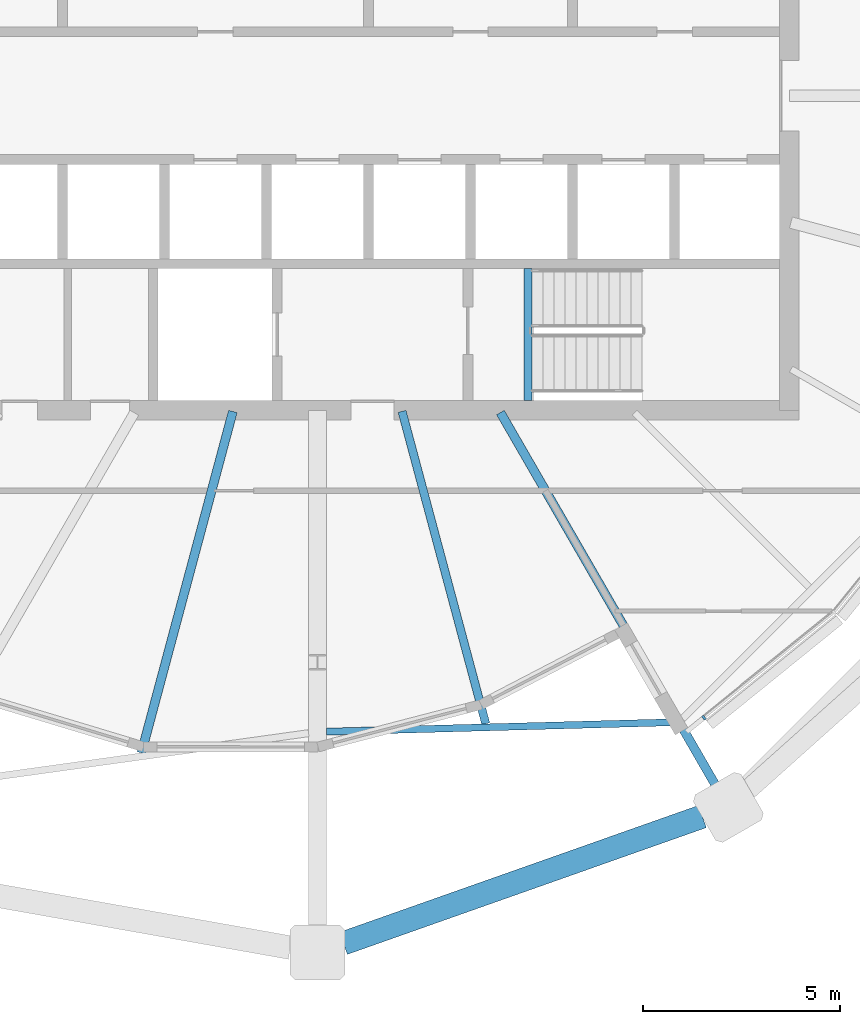
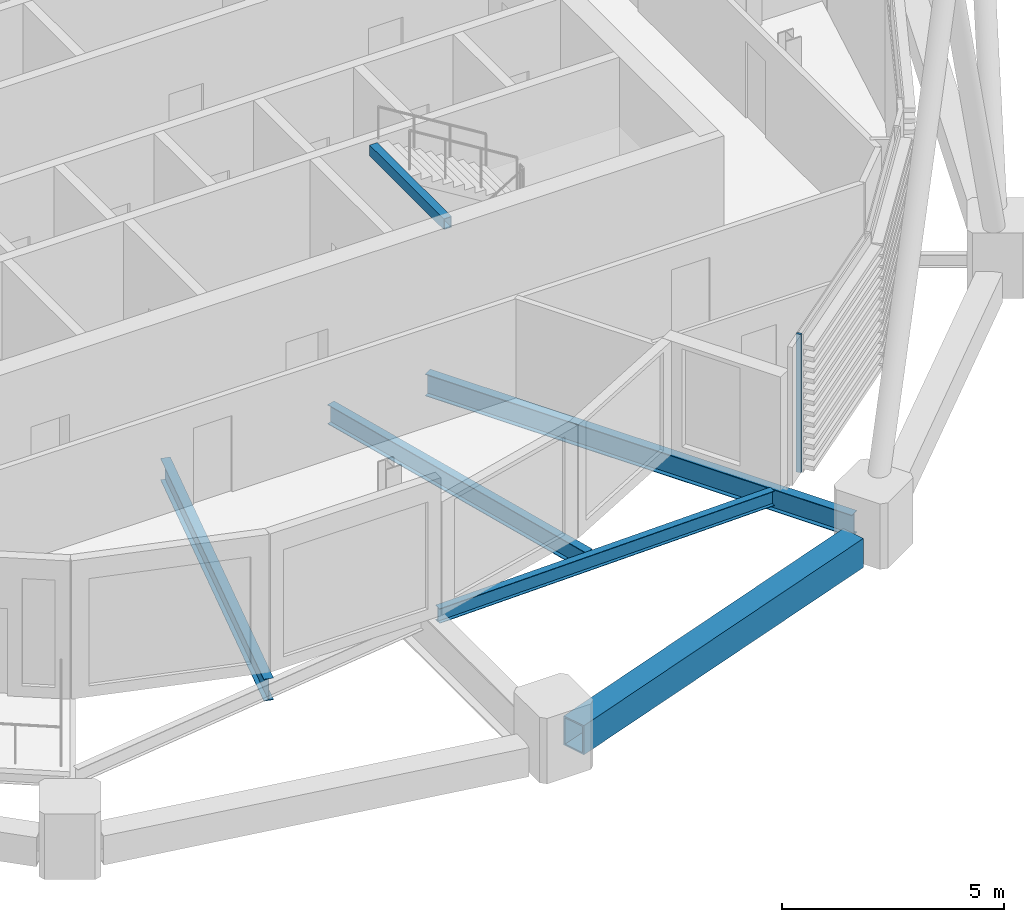
# One storey, part 12 of 34: 6 beams, 1 member, 1 element without a shape of its own.
"""IFC4 building model written with IfcOpenShell, lengths in metres."""

import ifcopenshell
import ifcopenshell.guid

model = None  # the IFC model being written
_history = None  # IfcOwnerHistory: only IFC2X3 demands one
_inside = {}  # id of a spatial element -> (the spatial element, [elements in it])
_under = {}  # id of a project, library or spatial element -> (it, [spatial elements below it])
_declared = {}  # id of a project -> (the project, [libraries it declares])
_typed = {}  # id of a type object -> (the type object, [elements of that type])
_made_of = {}  # id of a material, layer set ... -> (it, [elements and type objects made of it])


def new_model(schema):
    """Start an empty IFC model of exactly this schema.

    Asked for "IFC4X3", IfcOpenShell would pick the latest addendum, in which some entities
    have other attributes; the version numbers below select the first issue.
    IFC2X3 requires an IfcOwnerHistory on every rooted entity: one is made here for all.
    """
    global model, _history
    if schema == "IFC4X3":
        model = ifcopenshell.file(schema_version=(4, 3, 0, 0))
    else:
        model = ifcopenshell.file(schema=schema)
    _inside.clear()
    _under.clear()
    _declared.clear()
    _typed.clear()
    _made_of.clear()
    _history = None
    if model.schema == "IFC2X3":
        org = make("IfcOrganization", Name="unknown")
        user = make(
            "IfcPersonAndOrganization",
            ThePerson=make("IfcPerson", FamilyName="unknown"),
            TheOrganization=org,
        )
        app = make(
            "IfcApplication",
            ApplicationDeveloper=org,
            Version="unknown",
            ApplicationFullName="unknown",
            ApplicationIdentifier="unknown",
        )
        _history = make(
            "IfcOwnerHistory",
            OwningUser=user,
            OwningApplication=app,
            ChangeAction="ADDED",
            CreationDate=0,
        )
    return model


def make(cls, **values):
    """One entity of the class cls with the attributes given. An attribute that is None is left unset."""
    return model.create_entity(
        cls, **{name: value for name, value in values.items() if value is not None}
    )


def rooted(cls, **values):
    """An entity with a GlobalId (a new one), such as an element, a storey or a relation."""
    return make(cls, GlobalId=ifcopenshell.guid.new(), OwnerHistory=_history, **values)


def si_unit(unit_type, name, prefix=None):
    """IfcSIUnit, for example si_unit("LENGTHUNIT", "METRE", prefix="MILLI")."""
    return make("IfcSIUnit", UnitType=unit_type, Prefix=prefix, Name=name)


def assignment(units):
    """IfcUnitAssignment: the units of a project."""
    return None if units is None else make("IfcUnitAssignment", Units=units)


def point(xyz):
    """IfcCartesianPoint."""
    return None if xyz is None else make("IfcCartesianPoint", Coordinates=xyz)


def direction(xyz):
    """IfcDirection."""
    return None if xyz is None else make("IfcDirection", DirectionRatios=xyz)


def frame(location, z_axis=None, x_axis=None):
    """IfcAxis2Placement3D, a coordinate frame: its origin and axes. An axis left out is left unset."""
    return make(
        "IfcAxis2Placement3D",
        Location=point(location),
        Axis=direction(z_axis),
        RefDirection=direction(x_axis),
    )


def frame_2d(location, x_axis=None):
    """IfcAxis2Placement2D, a coordinate frame in the plane: its origin and x axis."""
    return make(
        "IfcAxis2Placement2D", Location=point(location), RefDirection=direction(x_axis)
    )


def origin():
    """The frame at (0, 0, 0) with its axes left unset."""
    return frame((0.0, 0.0, 0.0))


def origin_2d():
    """The frame at (0, 0) in the plane with its x axis left unset."""
    return frame_2d((0.0, 0.0))


def place(relative_to, where):
    """IfcLocalPlacement: puts the frame where relative to a parent placement (None: the world)."""
    return make(
        "IfcLocalPlacement", PlacementRelTo=relative_to, RelativePlacement=where
    )


def context(
    kind, dimensions, precision=None, world=None, true_north=None, identifier=None
):
    """IfcGeometricRepresentationContext, for example the 3D "Model" context."""
    return make(
        "IfcGeometricRepresentationContext",
        ContextIdentifier=identifier,
        ContextType=kind,
        CoordinateSpaceDimension=dimensions,
        Precision=precision,
        WorldCoordinateSystem=world,
        TrueNorth=true_north,
    )


def subcontext(parent, identifier, kind, view, scale=None):
    """IfcGeometricRepresentationSubContext, for example "Body" below "Model"."""
    return make(
        "IfcGeometricRepresentationSubContext",
        ContextIdentifier=identifier,
        ContextType=kind,
        ParentContext=parent,
        TargetScale=scale,
        TargetView=view,
    )


def project(units=None, contexts=None):
    """IfcProject with its units and contexts."""
    return rooted(
        "IfcProject",
        Name="project",
        RepresentationContexts=contexts,
        UnitsInContext=assignment(units),
    )


def spatial(cls, under=None, at=None, **own):
    """A site, building, storey or space (cls), placed at a placement, below another one or the project."""
    s = rooted(cls, ObjectPlacement=at, **own)
    if under is not None:
        _under.setdefault(under.id(), (under, []))[1].append(s)
    return s


def profile(cls, at=None, kind="AREA", **sizes):
    """A parametric profile (cls). Its sizes go by their IFC names, for example OverallWidth=200.0."""
    return make(cls, ProfileType=kind, Position=at, **sizes)


def rectangle(**sizes):
    """IfcRectangleProfileDef."""
    return profile("IfcRectangleProfileDef", **sizes)


def hollow_rectangle(**sizes):
    """IfcRectangleHollowProfileDef."""
    return profile("IfcRectangleHollowProfileDef", **sizes)


def i_section(**sizes):
    """IfcIShapeProfileDef."""
    return profile("IfcIShapeProfileDef", **sizes)


def extrude(swept, where, along, depth):
    """IfcExtrudedAreaSolid: the profile swept, set in the frame where, extruded along a direction by depth."""
    return make(
        "IfcExtrudedAreaSolid",
        SweptArea=swept,
        Position=where,
        ExtrudedDirection=direction(along),
        Depth=depth,
    )


def shape(context_of_items, identifier, shape_type, items):
    """IfcShapeRepresentation: the items that make up one representation, for example the "Body"."""
    return make(
        "IfcShapeRepresentation",
        ContextOfItems=context_of_items,
        RepresentationIdentifier=identifier,
        RepresentationType=shape_type,
        Items=items,
    )


def material(Name=None, Category=None):
    """IfcMaterial."""
    return make("IfcMaterial", Name=Name, Category=Category)


def material_profile(
    of_material, cross_section, Name=None, Category=None, Priority=None
):
    """IfcMaterialProfile: a cross section and its material."""
    return make(
        "IfcMaterialProfile",
        Name=Name,
        Material=of_material,
        Profile=cross_section,
        Priority=Priority,
        Category=Category,
    )


def profile_set(profiles, Name=None, composite=None):
    """IfcMaterialProfileSet."""
    return make(
        "IfcMaterialProfileSet",
        Name=Name,
        MaterialProfiles=profiles,
        CompositeProfile=composite,
    )


def made_of(thing, what):
    """Note that an element or type object is made of a material, layer set ...; save() writes the relation."""
    if what is not None:
        _made_of.setdefault(what.id(), (what, []))[1].append(thing)
    return thing


def type_object(cls, material=None, **own):
    """A type object (cls), such as IfcWallType, which elements share."""
    return made_of(rooted(cls, **own), material)


def element(
    cls,
    number,
    at=None,
    inside=None,
    cuts=None,
    type_object=None,
    material=None,
    context=None,
    identifier="Body",
    shape_type=None,
    held_by="IfcProductDefinitionShape",
    body=None,
    shapes=None,
    **own,
):
    """One element of the class cls, such as IfcWall. Its Tag is "e" and its number.

    at: its placement. inside: the storey or other place that contains it. cuts: it is an
    opening in that element (IfcRelVoidsElement). A single representation is given by context,
    identifier, shape_type and body (its items); several are given by shapes. held_by: the class
    of the entity that holds the representations. save() writes the other relations.
    """
    e = rooted(cls, Tag="e%d" % number, ObjectPlacement=at, **own)
    if body is not None:
        shapes = [shape(context, identifier, shape_type, body)]
    if shapes is not None:
        e.Representation = make(held_by, Representations=shapes)
    if inside is not None:
        _inside.setdefault(inside.id(), (inside, []))[1].append(e)
    if cuts is not None:
        rooted(
            "IfcRelVoidsElement", RelatingBuildingElement=cuts, RelatedOpeningElement=e
        )
    if type_object is not None:
        _typed.setdefault(type_object.id(), (type_object, []))[1].append(e)
    return made_of(e, material)


def aggregate(whole, parts):
    """IfcRelAggregates: a whole, such as a stair, and the parts it consists of."""
    return rooted("IfcRelAggregates", RelatingObject=whole, RelatedObjects=parts)


def save(model, path):
    """Write the relations noted so far, then the file.

    IfcRelAggregates (storeys below a building ...), IfcRelContainedInSpatialStructure (elements
    in a storey), IfcRelDefinesByType, IfcRelAssociatesMaterial and IfcRelDeclares: one each for
    every whole, place, type object, material and project.
    """
    for whole, parts in _under.values():
        aggregate(whole, parts)
    for where, things in _inside.values():
        rooted(
            "IfcRelContainedInSpatialStructure",
            RelatedElements=things,
            RelatingStructure=where,
        )
    for kind, things in _typed.values():
        rooted("IfcRelDefinesByType", RelatedObjects=things, RelatingType=kind)
    for what, things in _made_of.values():
        rooted("IfcRelAssociatesMaterial", RelatedObjects=things, RelatingMaterial=what)
    for by, libraries in _declared.values():
        rooted("IfcRelDeclares", RelatingContext=by, RelatedDefinitions=libraries)
    model.write(path)


model = new_model("IFC4")

# Units and contexts
model_context = context("Model", 3, precision=1e-05, world=origin(), true_north=direction((0.0, 1.0)))
body_context = subcontext(model_context, "Body", "Model", "MODEL_VIEW")
ifc_project = project(units=[si_unit("LENGTHUNIT", "METRE"), si_unit("AREAUNIT", "SQUARE_METRE"), si_unit("VOLUMEUNIT", "CUBIC_METRE"), si_unit("PLANEANGLEUNIT", "RADIAN"), si_unit("MASSUNIT", "GRAM", prefix="KILO")], contexts=[model_context])

# Site, building, storey
site_placement = place(None, origin())
site = spatial("IfcSite", under=ifc_project, at=site_placement, CompositionType="ELEMENT")
building_placement = place(site_placement, origin())
building = spatial("IfcBuilding", under=site, at=building_placement, Name="Rimbun Link Towers", CompositionType="ELEMENT")
storey_placement = place(building_placement, frame((0.0, 0.0, 221.89990234375)))
storey = spatial("IfcBuildingStorey", under=building, at=storey_placement, Name="L54", CompositionType="ELEMENT", Elevation=221.89990234375)

# Curtain wall, member
ifc_material_1 = material(Name="Aluminium 6063-T6 and low-iron glass", Category="aluminium")
curtain_wall_type = type_object("IfcCurtainWallType", Name="CW1-Z4 unitised vision wall (zone 4)", PredefinedType="NOTDEFINED", material=ifc_material_1)
curtain_wall_placement = place(storey_placement, origin())
curtain_wall = element("IfcCurtainWall", 1, at=curtain_wall_placement, inside=storey, type_object=curtain_wall_type, Name="CW1 L54 T2", PredefinedType="NOTDEFINED")
ifc_material_2 = material(Name="Aluminium 6063-T6", Category="aluminium")
ifc_material_profile_1 = material_profile(ifc_material_2, rectangle(XDim=0.1201171875, YDim=0.06005859375, at=origin_2d()), Name="MULLION 60X120")
ifc_profile_set_1 = profile_set([ifc_material_profile_1], Name="Aluminium 6063-T6")
member_type = type_object("IfcMemberType", Name="CW1 mullion 60X120", PredefinedType="MULLION", material=ifc_profile_set_1)
member_placement = place(storey_placement, frame((41.577880859375, -15.818359375, 0.0), z_axis=(0.0, 0.0, 1.0), x_axis=(0.629160290454, -0.777275581063, 0.0)))
member = element("IfcMember", 2, at=member_placement, type_object=member_type, Name="CW1 mullion", PredefinedType="MULLION", context=body_context, shape_type="SweptSolid", body=[
    extrude(rectangle(XDim=0.1201171875, YDim=0.06005859375, at=origin_2d()), origin(), (0.0, 0.0, 1.0), 3.800048828125),
])
aggregate(curtain_wall, [member])

# Beams
ifc_material_3 = material(Name="Steel S355J2", Category="steel")
ifc_material_profile_2 = material_profile(ifc_material_3, hollow_rectangle(XDim=0.60009765625, YDim=0.800048828125, WallThickness=0.0400390625, at=origin_2d()), Name="Exoskeleton ring girder BOX 600x800x40")
ifc_profile_set_2 = profile_set([ifc_material_profile_2], Name="Steel S355J2")
beam_type_1 = type_object("IfcBeamType", Name="Exoskeleton ring girder BOX 600x800x40", PredefinedType="BEAM", material=ifc_profile_set_2)
beam_1_placement = place(storey_placement, frame((32.41015625, -21.55419921875, -0.559814453125), z_axis=(0.942938642651, 0.332966539153, 0.0), x_axis=(-0.332966539153, 0.942938642651, 0.0)))
element("IfcBeam", 3, at=beam_1_placement, inside=storey, type_object=beam_type_1, Name="Exoskeleton ring girder L54 07", PredefinedType="BEAM", context=body_context, shape_type="SweptSolid", body=[
    extrude(hollow_rectangle(XDim=0.60009765625, YDim=0.800048828125, WallThickness=0.0400390625, at=origin_2d()), origin(), (0.0, 0.0, 1.0), 9.680908203125),
])
ifc_material_4 = material(Name="Steel S355J2", Category="steel")
ifc_material_profile_3 = material_profile(ifc_material_4, hollow_rectangle(XDim=0.199951171875, YDim=0.300048828125, WallThickness=0.011962890625, at=origin_2d()), Name="BOX 300x200x12")
ifc_profile_set_3 = profile_set([ifc_material_profile_3], Name="Steel S355J2")
beam_type_2 = type_object("IfcBeamType", Name="Stair trimmer beam BOX 300x200x12", PredefinedType="BEAM", material=ifc_profile_set_3)
beam_2_placement = place(storey_placement, frame((37.10009765625, -7.75, 3.510009765625), z_axis=(0.0, 1.0, 0.0), x_axis=(-1.0, 0.0, 0.0)))
element("IfcBeam", 4, at=beam_2_placement, inside=storey, type_object=beam_type_2, Name="L54 ST4 stair beam 1", PredefinedType="BEAM", context=body_context, shape_type="SweptSolid", body=[
    extrude(hollow_rectangle(XDim=0.199951171875, YDim=0.300048828125, WallThickness=0.011962890625, at=origin_2d()), origin(), (0.0, 0.0, 1.0), 3.35009765625),
])
ifc_material_5 = material(Name="Steel S355J2", Category="steel")
ifc_material_profile_4 = material_profile(ifc_material_5, i_section(OverallWidth=0.177978515625, OverallDepth=0.406494140625, WebThickness=0.0078125, FlangeThickness=0.0126953125, at=origin_2d()), Name="UB 406x178x60")
ifc_profile_set_4 = profile_set([ifc_material_profile_4], Name="Steel S355J2")
beam_type_3 = type_object("IfcBeamType", Name="UB 406x178x60", PredefinedType="BEAM", material=ifc_profile_set_4)
beam_3_placement = place(storey_placement, frame((31.97607421875, -16.1728515625, -0.343017578125), z_axis=(0.999633255144, 0.027080531959, 0.0), x_axis=(-0.027080531959, 0.999633255144, 0.0)))
element("IfcBeam", 5, at=beam_3_placement, inside=storey, type_object=beam_type_3, Name="Edge beam T2 L54 15-17", PredefinedType="BEAM", context=body_context, shape_type="SweptSolid", body=[
    extrude(i_section(OverallWidth=0.177978515625, OverallDepth=0.406494140625, WebThickness=0.0078125, FlangeThickness=0.0126953125, at=origin_2d()), origin(), (0.0, 0.0, 1.0), 8.843994140625),
])
ifc_material_6 = material(Name="Steel S355J2", Category="steel")
ifc_material_profile_5 = material_profile(ifc_material_6, i_section(OverallWidth=0.209228515625, OverallDepth=0.533203125, WebThickness=0.010009765625, FlangeThickness=0.015625, at=origin_2d()), Name="UB 533x210x92")
ifc_profile_set_5 = profile_set([ifc_material_profile_5], Name="Steel S355J2")
beam_type_4 = type_object("IfcBeamType", Name="UB 533x210x92", PredefinedType="BEAM", material=ifc_profile_set_5)
beam_4_placement = place(storey_placement, frame((33.901123046875, -8.028076171875, -0.406494140625), z_axis=(0.258822629453, -0.965924865858, 0.0), x_axis=(0.965924865858, 0.258822629453, 0.0)))
element("IfcBeam", 6, at=beam_4_placement, inside=storey, type_object=beam_type_4, Name="Radial beam T2 L54 16", PredefinedType="BEAM", context=body_context, shape_type="SweptSolid", body=[
    extrude(i_section(OverallWidth=0.209228515625, OverallDepth=0.533203125, WebThickness=0.010009765625, FlangeThickness=0.015625, at=origin_2d()), origin(), (0.0, 0.0, 1.0), 8.225341796875),
])
ifc_material_7 = material(Name="Steel S355J2", Category="steel")
ifc_material_profile_6 = material_profile(ifc_material_7, i_section(OverallWidth=0.2275390625, OverallDepth=0.6025390625, WebThickness=0.010498046875, FlangeThickness=0.014892578125, at=origin_2d()), Name="UB 610x229x101")
ifc_profile_set_6 = profile_set([ifc_material_profile_6], Name="Steel S355J2")
beam_type_5 = type_object("IfcBeamType", Name="UB 610x229x101", PredefinedType="BEAM", material=ifc_profile_set_6)
beam_5_placement = place(storey_placement, frame((29.598388671875, -8.030517578125, -0.441162109375), z_axis=(-0.258827521739, -0.965923554941, 0.0), x_axis=(0.965923554941, -0.258827521739, 0.0)))
element("IfcBeam", 7, at=beam_5_placement, inside=storey, type_object=beam_type_5, Name="Radial beam T2 L54 14", PredefinedType="BEAM", context=body_context, shape_type="SweptSolid", body=[
    extrude(i_section(OverallWidth=0.2275390625, OverallDepth=0.6025390625, WebThickness=0.010498046875, FlangeThickness=0.014892578125, at=origin_2d()), origin(), (0.0, 0.0, 1.0), 8.986328125),
])
beam_6_placement = place(storey_placement, frame((36.402099609375, -8.057861328125, -0.441162109375), z_axis=(0.500013935647, -0.866017357885, 0.0), x_axis=(0.866017357885, 0.500013935647, 0.0)))
element("IfcBeam", 8, at=beam_6_placement, inside=storey, type_object=beam_type_5, Name="Radial beam T2 L54 17", PredefinedType="BEAM", context=body_context, shape_type="SweptSolid", body=[
    extrude(i_section(OverallWidth=0.2275390625, OverallDepth=0.6025390625, WebThickness=0.010498046875, FlangeThickness=0.014892578125, at=origin_2d()), origin(), (0.0, 0.0, 1.0), 11.093017578125),
])

save(model, "model.ifc")
